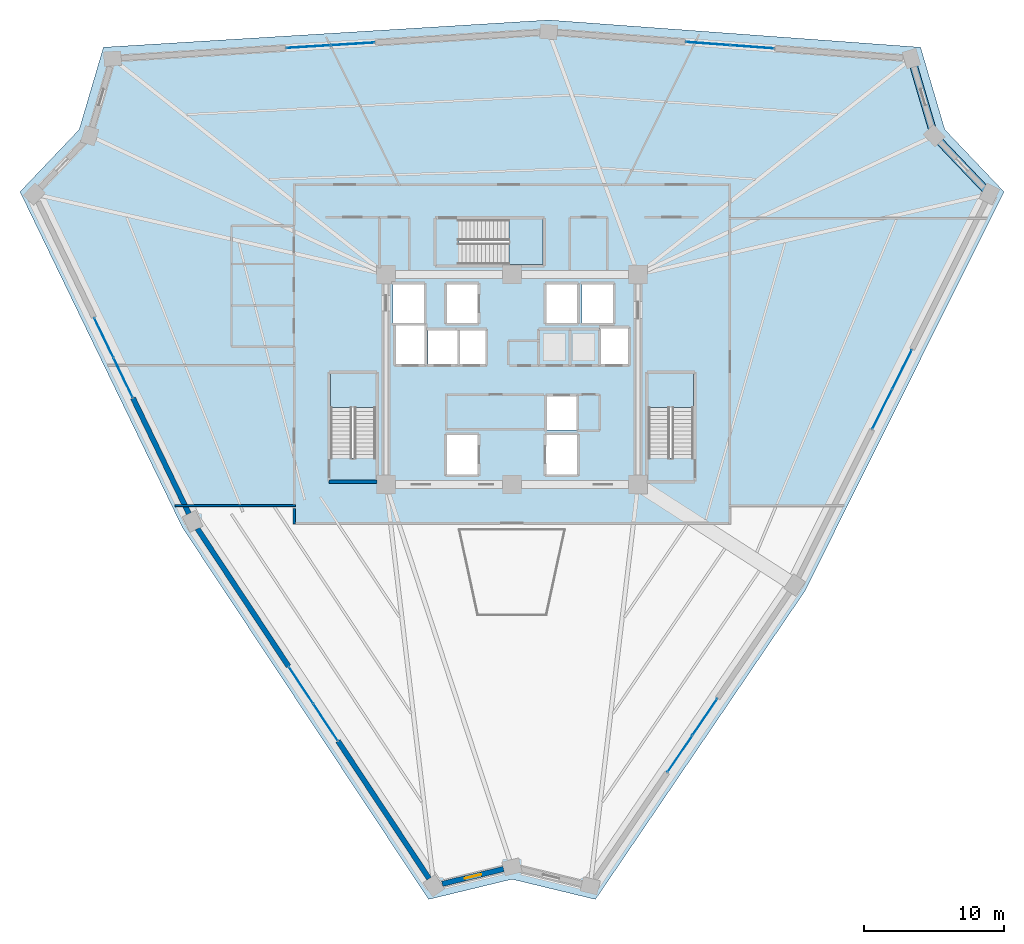
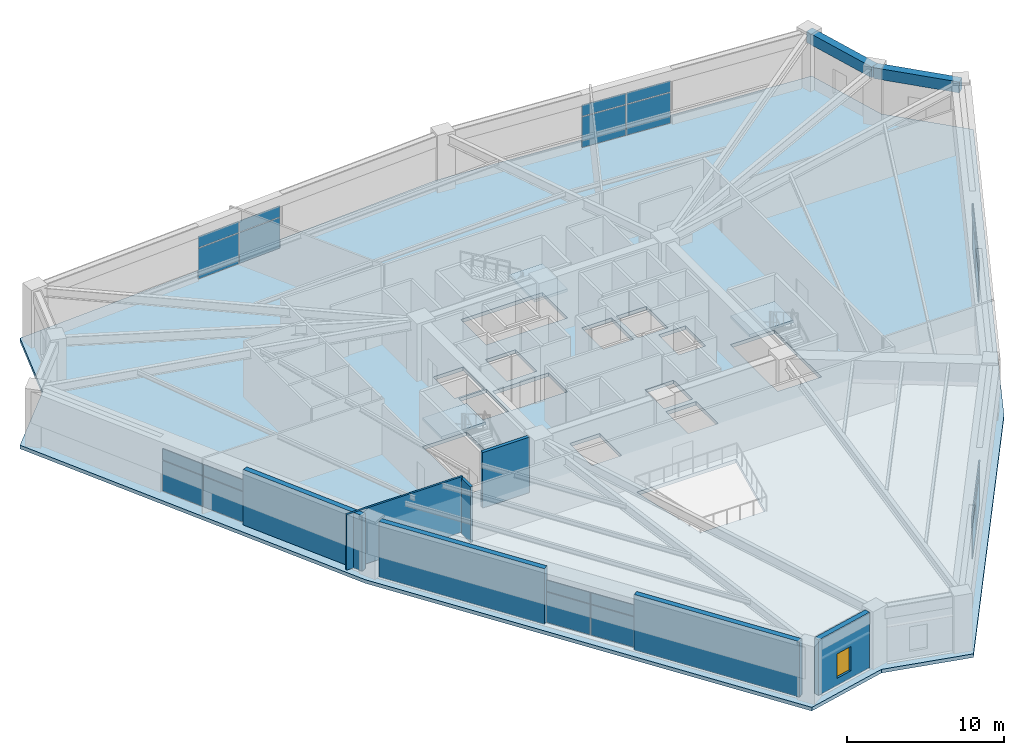
# One storey, part 31 of 39: 24 plates, 7 walls, 4 slabs, 2 beams, 1 window, 1 opening, 9 elements without a shape of their own.
"""IFC4 building model written with IfcOpenShell, lengths in metres."""

from ifc_helpers import new_model, si_unit, direction, frame, frame_2d, origin, origin_2d, place, context, subcontext, project, spatial, polyline, rectangle, outline, extrude, source, transform, mapped, material, layer, layer_set, material_profile, profile_set, type_object, element, fill, aggregate, save


model = new_model("IFC4")

# Units and contexts
model_context = context("Model", 3, precision=1e-05, world=origin(), true_north=direction((0.0, 1.0)))
body_context = subcontext(model_context, "Body", "Model", "MODEL_VIEW")
ifc_project = project(units=[si_unit("LENGTHUNIT", "METRE"), si_unit("AREAUNIT", "SQUARE_METRE"), si_unit("VOLUMEUNIT", "CUBIC_METRE"), si_unit("PLANEANGLEUNIT", "RADIAN"), si_unit("MASSUNIT", "GRAM", prefix="KILO")], contexts=[model_context])

# Site, building, storey
site_placement = place(None, origin())
site = spatial("IfcSite", under=ifc_project, at=site_placement, CompositionType="ELEMENT")
building_placement = place(site_placement, origin())
building = spatial("IfcBuilding", under=site, at=building_placement, Name="Liaohun Quay Tower", CompositionType="ELEMENT")
storey_placement = place(building_placement, frame((0.0, 0.0, 189.75)))
storey = spatial("IfcBuildingStorey", under=building, at=storey_placement, Name="L49", CompositionType="ELEMENT", Elevation=189.75)

# Beams
ifc_material_1 = material(Name="Precast concrete C50", Category="concrete")
ifc_material_profile = material_profile(ifc_material_1, rectangle(XDim=0.550048828125, YDim=0.85009765625, at=origin_2d()), Name="RC550x850")
ifc_profile_set = profile_set([ifc_material_profile], Name="Precast concrete C50")
beam_type = type_object("IfcBeamType", Name="BM-SPD-Z3", PredefinedType="SPANDREL", material=ifc_profile_set)
shared_shape_1 = source(origin(), body_context, "Body", "SweptSolid", [
    extrude(rectangle(XDim=0.550048828125, YDim=0.85009765625, at=origin_2d()), origin(), (0.0, 0.0, 1.0), 5.737060546875),
])
beam_1_placement = place(storey_placement, frame((90.14306640625, 71.403076171875, 3.89501953125), z_axis=(0.689356516879, -0.724422247474, 0.0), x_axis=(0.724422247474, 0.689356516879, 0.0)))
element("IfcBeam", 1, at=beam_1_placement, inside=storey, type_object=beam_type, Name="L49 Precast Spandrel Beam PC08-PC09", PredefinedType="SPANDREL", context=body_context, shape_type="MappedRepresentation", body=[
    mapped(shared_shape_1, transform((0.0, 0.0, 0.0), x_axis=(1.0, 0.0, 0.0), y_axis=(0.0, 1.0, 0.0), z_axis=(0.0, 0.0, 1.0), scale=1.0)),
])
shared_shape_2 = source(origin(), body_context, "Body", "SweptSolid", [
    extrude(rectangle(XDim=0.550048828125, YDim=0.85009765625, at=origin_2d()), origin(), (0.0, 0.0, 1.0), 5.744384765625),
])
beam_2_placement = place(storey_placement, frame((88.51904296875, 76.9130859375, 3.89501953125), z_axis=(0.282716218071, -0.959203596761, 0.0), x_axis=(0.959203596761, 0.282716218071, 0.0)))
element("IfcBeam", 2, at=beam_2_placement, inside=storey, type_object=beam_type, Name="L49 Precast Spandrel Beam PC07-PC08", PredefinedType="SPANDREL", context=body_context, shape_type="MappedRepresentation", body=[
    mapped(shared_shape_2, transform((0.0, 0.0, 0.0), x_axis=(1.0, 0.0, 0.0), y_axis=(0.0, 1.0, 0.0), z_axis=(0.0, 0.0, 1.0), scale=1.0)),
])

# Stair, slab
ifc_material_2 = material(Name="Concrete C45", Category="concrete")
stair_type = type_object("IfcStairType", Name="STR-CORE-TALL", PredefinedType="HALF_TURN_STAIR", material=ifc_material_2)
stair_1_placement = place(storey_placement, origin())
stair_1 = element("IfcStair", 3, at=stair_1_placement, inside=storey, type_object=stair_type, Name="L49 Smokeproof Core Exit Stair ST-1", PredefinedType="HALF_TURN_STAIR")
ifc_layer_1 = layer(ifc_material_2, 0.199951171875, Name="Concrete C45", Category="concrete")
ifc_layer_set_1 = layer_set([ifc_layer_1], Name="Concrete C45")
slab_type_1 = type_object("IfcSlabType", Name="SLB-LND-200", PredefinedType="LANDING", material=ifc_layer_set_1)
slab_1_placement = place(storey_placement, frame((0.0, 0.0, 2.050048828125)))
slab_1 = element("IfcSlab", 4, at=slab_1_placement, type_object=slab_type_1, Name="ST-1 landing 1", PredefinedType="LANDING", context=body_context, shape_type="SweptSolid", body=[
    extrude(outline(polyline([(50.280029296875, 51.989990234375), (50.280029296875, 54.419921875), (47.0400390625, 54.419921875), (47.0400390625, 51.989990234375), (50.280029296875, 51.989990234375)])), origin(), (0.0, 0.0, 1.0), 0.199951171875),
])
aggregate(stair_1, [slab_1])

stair_2_placement = place(storey_placement, origin())
stair_2 = element("IfcStair", 5, at=stair_2_placement, inside=storey, type_object=stair_type, Name="L49 Smokeproof Core Exit Stair ST-2", PredefinedType="HALF_TURN_STAIR")
slab_2_placement = place(storey_placement, frame((0.0, 0.0, 2.050048828125)))
slab_2 = element("IfcSlab", 6, at=slab_2_placement, type_object=slab_type_1, Name="ST-2 landing 1", PredefinedType="LANDING", context=body_context, shape_type="SweptSolid", body=[
    extrude(outline(polyline([(72.9599609375, 51.989990234375), (72.9599609375, 54.419921875), (69.719970703125, 54.419921875), (69.719970703125, 51.989990234375), (72.9599609375, 51.989990234375)])), origin(), (0.0, 0.0, 1.0), 0.199951171875),
])
aggregate(stair_2, [slab_2])

stair_3_placement = place(storey_placement, origin())
stair_3 = element("IfcStair", 7, at=stair_3_placement, inside=storey, type_object=stair_type, Name="L49 Smokeproof Core Exit Stair ST-3", PredefinedType="HALF_TURN_STAIR")
slab_3_placement = place(storey_placement, frame((0.0, 0.0, 2.050048828125)))
slab_3 = element("IfcSlab", 8, at=slab_3_placement, type_object=slab_type_1, Name="ST-3 landing 1", PredefinedType="LANDING", context=body_context, shape_type="SweptSolid", body=[
    extrude(outline(polyline([(59.7900390625, 62.199951171875), (62.219970703125, 62.199951171875), (62.219970703125, 65.43994140625), (59.7900390625, 65.43994140625), (59.7900390625, 62.199951171875)])), origin(), (0.0, 0.0, 1.0), 0.199951171875),
])
aggregate(stair_3, [slab_3])

# Slab
ifc_material_3 = material(Name="Concrete C50", Category="concrete")
ifc_layer_2 = layer(ifc_material_3, 0.280029296875, Name="Concrete C50", Category="concrete")
ifc_layer_set_2 = layer_set([ifc_layer_2], Name="Concrete C50")
slab_type_2 = type_object("IfcSlabType", Name="SLB-REF-280", PredefinedType="FLOOR", material=ifc_layer_set_2)
slab_4_placement = place(storey_placement, frame((0.0, 0.0, -0.280029296875)))
element("IfcSlab", 9, at=slab_4_placement, inside=storey, type_object=slab_type_2, Name="L49 Structural Floor Slab", PredefinedType="FLOOR", context=body_context, shape_type="SweptSolid", body=[
    extrude(outline(polyline([(54.04296875, 16.881103515625), (60.0, 18.320068359375), (65.95703125, 16.881103515625), (80.9130859375, 38.89501953125), (95.125, 67.40087890625), (90.89990234375, 71.840087890625), (89.16796875, 77.718017578125), (62.625, 79.6640625), (30.83203125, 77.718017578125), (29.10009765625, 71.840087890625), (24.875, 67.40087890625), (36.4619140625, 43.44189453125), (54.04296875, 16.881103515625)]), holes=[polyline([(57.56005859375, 50.030029296875), (55.340087890625, 50.030029296875), (55.340087890625, 47.2099609375), (57.56005859375, 47.2099609375), (57.56005859375, 50.030029296875)]), polyline([(50.280029296875, 54.419921875), (47.0400390625, 54.419921875), (47.0400390625, 48.409912109375), (50.280029296875, 48.409912109375), (50.280029296875, 54.419921875)]), polyline([(53.989990234375, 55.090087890625), (58.110107421875, 55.090087890625), (58.110107421875, 57.510009765625), (53.989990234375, 57.510009765625), (53.989990234375, 55.090087890625)]), polyline([(53.760009765625, 55.090087890625), (53.760009765625, 57.909912109375), (51.7099609375, 57.909912109375), (51.7099609375, 55.090087890625), (53.760009765625, 55.090087890625)]), polyline([(53.7099609375, 58.0400390625), (53.7099609375, 60.7900390625), (51.489990234375, 60.7900390625), (51.489990234375, 58.0400390625), (53.7099609375, 58.0400390625)]), polyline([(57.56005859375, 58.0400390625), (57.56005859375, 60.7900390625), (55.340087890625, 60.7900390625), (55.340087890625, 58.0400390625), (57.56005859375, 58.0400390625)]), polyline([(62.219970703125, 62.199951171875), (62.219970703125, 65.43994140625), (56.2099609375, 65.43994140625), (56.2099609375, 62.199951171875), (62.219970703125, 62.199951171875)]), polyline([(62.3798828125, 37.27001953125), (63.662109375, 43.199951171875), (56.337890625, 43.199951171875), (57.6201171875, 37.27001953125), (62.3798828125, 37.27001953125)]), polyline([(64.659912109375, 47.2099609375), (64.659912109375, 50.030029296875), (62.43994140625, 50.030029296875), (62.43994140625, 47.2099609375), (64.659912109375, 47.2099609375)]), polyline([(72.9599609375, 54.419921875), (69.719970703125, 54.419921875), (69.719970703125, 48.409912109375), (72.9599609375, 48.409912109375), (72.9599609375, 54.419921875)]), polyline([(64.610107421875, 50.389892578125), (64.610107421875, 52.81005859375), (62.489990234375, 52.81005859375), (62.489990234375, 50.389892578125), (64.610107421875, 50.389892578125)]), polyline([(68.2900390625, 55.090087890625), (68.2900390625, 57.659912109375), (66.2900390625, 57.659912109375), (66.2900390625, 55.090087890625), (68.2900390625, 55.090087890625)]), polyline([(64.659912109375, 58.0400390625), (64.659912109375, 60.7900390625), (62.43994140625, 60.7900390625), (62.43994140625, 58.0400390625), (64.659912109375, 58.0400390625)]), polyline([(67.2099609375, 58.0400390625), (67.2099609375, 60.7900390625), (64.989990234375, 60.7900390625), (64.989990234375, 58.0400390625), (67.2099609375, 58.0400390625)])]), origin(), (0.0, 0.0, 1.0), 0.280029296875),
])

# Curtain wall, plates
ifc_material_4 = material(Name="Mid-height zone-break sky-lobby curtain wall")
ifc_layer_3 = layer(ifc_material_4, 0.199951171875, Name="Mid-height zone-break sky-lobby curtain wall")
ifc_layer_set_3 = layer_set([ifc_layer_3], Name="Mid-height zone-break sky-lobby curtain wall")
curtain_wall_type = type_object("IfcCurtainWallType", Name="CW-SKY-L49", PredefinedType="NOTDEFINED", material=ifc_layer_set_3)
curtain_wall_1_placement = place(storey_placement, origin())
curtain_wall_1 = element("IfcCurtainWall", 10, at=curtain_wall_1_placement, inside=storey, type_object=curtain_wall_type, Name="L49 Panoramic Belvedere Curtain Wall 01", PredefinedType="NOTDEFINED")
ifc_material_5 = material(Name="Triple Low-E clear insulated glass unit", Category="glass")
ifc_layer_4 = layer(ifc_material_5, 0.0439453125, Name="Triple Low-E clear insulated glass unit", Category="glass")
ifc_layer_set_4 = layer_set([ifc_layer_4], Name="Triple Low-E clear insulated glass unit")
plate_type = type_object("IfcPlateType", Name="PLT-CWP-GLZ1", PredefinedType="CURTAIN_PANEL", material=ifc_layer_set_4)
shared_shape_3 = source(origin(), body_context, "Body", "SweptSolid", [
    extrude(rectangle(XDim=3.102783203125, YDim=0.0439453125, at=origin_2d()), origin(), (0.0, 0.0, 1.0), 2.3720703125),
])
plate_1_placement = place(storey_placement, frame((71.991455078125, 27.27490234375, 0.06005859375), z_axis=(0.0, 0.0, 1.0), x_axis=(0.561998012701, 0.827138581932, 0.0)))
plate_1 = element("IfcPlate", 11, at=plate_1_placement, type_object=plate_type, Name="CW4 panel 1.1", PredefinedType="CURTAIN_PANEL", context=body_context, shape_type="MappedRepresentation", body=[
    mapped(shared_shape_3, transform((0.0, 0.0, 0.0), x_axis=(1.0, 0.0, 0.0), y_axis=(0.0, 1.0, 0.0), z_axis=(0.0, 0.0, 1.0), scale=1.0)),
])
plate_2_placement = place(storey_placement, frame((73.771728515625, 29.89501953125, 0.06005859375), z_axis=(0.0, 0.0, 1.0), x_axis=(0.561998012701, 0.827138581932, 0.0)))
plate_2 = element("IfcPlate", 12, at=plate_2_placement, type_object=plate_type, Name="CW4 panel 2.1", PredefinedType="CURTAIN_PANEL", context=body_context, shape_type="MappedRepresentation", body=[
    mapped(shared_shape_3, transform((0.0, 0.0, 0.0), x_axis=(1.0, 0.0, 0.0), y_axis=(0.0, 1.0, 0.0), z_axis=(0.0, 0.0, 1.0), scale=1.0)),
])

curtain_wall_2_placement = place(storey_placement, origin())
curtain_wall_2 = element("IfcCurtainWall", 13, at=curtain_wall_2_placement, inside=storey, type_object=curtain_wall_type, Name="L49 Panoramic Belvedere Curtain Wall 02", PredefinedType="NOTDEFINED")
plate_3_placement = place(storey_placement, frame((86.43115234375, 51.86865234375, 0.06005859375), z_axis=(0.0, 0.0, 1.0), x_axis=(0.446213398059, 0.894926591064, 0.0)))
plate_3 = element("IfcPlate", 14, at=plate_3_placement, type_object=plate_type, Name="CW4 panel 1.1", PredefinedType="CURTAIN_PANEL", context=body_context, shape_type="MappedRepresentation", body=[
    mapped(shared_shape_3, transform((0.0, 0.0, 0.0), x_axis=(1.0, 0.0, 0.0), y_axis=(0.0, 1.0, 0.0), z_axis=(0.0, 0.0, 1.0), scale=1.0)),
])
plate_4_placement = place(storey_placement, frame((87.8447265625, 54.703369140625, 0.06005859375), z_axis=(0.0, 0.0, 1.0), x_axis=(0.446213398059, 0.894926591064, 0.0)))
plate_4 = element("IfcPlate", 15, at=plate_4_placement, type_object=plate_type, Name="CW4 panel 2.1", PredefinedType="CURTAIN_PANEL", context=body_context, shape_type="MappedRepresentation", body=[
    mapped(shared_shape_3, transform((0.0, 0.0, 0.0), x_axis=(1.0, 0.0, 0.0), y_axis=(0.0, 1.0, 0.0), z_axis=(0.0, 0.0, 1.0), scale=1.0)),
])

curtain_wall_3_placement = place(storey_placement, origin())
curtain_wall_3 = element("IfcCurtainWall", 16, at=curtain_wall_3_placement, inside=storey, type_object=curtain_wall_type, Name="L49 Panoramic Belvedere Curtain Wall 06", PredefinedType="NOTDEFINED")
plate_5_placement = place(storey_placement, frame((44.938232421875, 32.17626953125, 0.06005859375), z_axis=(0.0, 0.0, 1.0), x_axis=(0.551993126598, -0.833848660243, 0.0)))
plate_5 = element("IfcPlate", 17, at=plate_5_placement, type_object=plate_type, Name="CW4 panel 1.1", PredefinedType="CURTAIN_PANEL", context=body_context, shape_type="MappedRepresentation", body=[
    mapped(shared_shape_3, transform((0.0, 0.0, 0.0), x_axis=(1.0, 0.0, 0.0), y_axis=(0.0, 1.0, 0.0), z_axis=(0.0, 0.0, 1.0), scale=1.0)),
])
plate_6_placement = place(storey_placement, frame((46.686767578125, 29.534912109375, 0.06005859375), z_axis=(0.0, 0.0, 1.0), x_axis=(0.551993126598, -0.833848660243, 0.0)))
plate_6 = element("IfcPlate", 18, at=plate_6_placement, type_object=plate_type, Name="CW4 panel 2.1", PredefinedType="CURTAIN_PANEL", context=body_context, shape_type="MappedRepresentation", body=[
    mapped(shared_shape_3, transform((0.0, 0.0, 0.0), x_axis=(1.0, 0.0, 0.0), y_axis=(0.0, 1.0, 0.0), z_axis=(0.0, 0.0, 1.0), scale=1.0)),
])

# Plate
shared_shape_4 = source(origin(), body_context, "Body", "SweptSolid", [
    extrude(rectangle(XDim=3.102783203125, YDim=0.0439453125, at=origin_2d()), origin(), (0.0, 0.0, 1.0), 0.867919921875),
])
plate_7_placement = place(storey_placement, frame((71.991455078125, 27.27490234375, 2.4921875), z_axis=(0.0, 0.0, 1.0), x_axis=(0.561998012701, 0.827138581932, 0.0)))
plate_7 = element("IfcPlate", 19, at=plate_7_placement, type_object=plate_type, Name="CW4 panel 1.2", PredefinedType="CURTAIN_PANEL", context=body_context, shape_type="MappedRepresentation", body=[
    mapped(shared_shape_4, transform((0.0, 0.0, 0.0), x_axis=(1.0, 0.0, 0.0), y_axis=(0.0, 1.0, 0.0), z_axis=(0.0, 0.0, 1.0), scale=1.0)),
])

plate_8_placement = place(storey_placement, frame((73.771728515625, 29.89501953125, 2.4921875), z_axis=(0.0, 0.0, 1.0), x_axis=(0.561998012701, 0.827138581932, 0.0)))
plate_8 = element("IfcPlate", 20, at=plate_8_placement, type_object=plate_type, Name="CW4 panel 2.2", PredefinedType="CURTAIN_PANEL", context=body_context, shape_type="MappedRepresentation", body=[
    mapped(shared_shape_4, transform((0.0, 0.0, 0.0), x_axis=(1.0, 0.0, 0.0), y_axis=(0.0, 1.0, 0.0), z_axis=(0.0, 0.0, 1.0), scale=1.0)),
])

aggregate(curtain_wall_1, [plate_1, plate_7, plate_2, plate_8])

plate_9_placement = place(storey_placement, frame((86.43115234375, 51.86865234375, 2.4921875), z_axis=(0.0, 0.0, 1.0), x_axis=(0.446213398059, 0.894926591064, 0.0)))
plate_9 = element("IfcPlate", 21, at=plate_9_placement, type_object=plate_type, Name="CW4 panel 1.2", PredefinedType="CURTAIN_PANEL", context=body_context, shape_type="MappedRepresentation", body=[
    mapped(shared_shape_4, transform((0.0, 0.0, 0.0), x_axis=(1.0, 0.0, 0.0), y_axis=(0.0, 1.0, 0.0), z_axis=(0.0, 0.0, 1.0), scale=1.0)),
])

plate_10_placement = place(storey_placement, frame((87.8447265625, 54.703369140625, 2.4921875), z_axis=(0.0, 0.0, 1.0), x_axis=(0.446213398059, 0.894926591064, 0.0)))
plate_10 = element("IfcPlate", 22, at=plate_10_placement, type_object=plate_type, Name="CW4 panel 2.2", PredefinedType="CURTAIN_PANEL", context=body_context, shape_type="MappedRepresentation", body=[
    mapped(shared_shape_4, transform((0.0, 0.0, 0.0), x_axis=(1.0, 0.0, 0.0), y_axis=(0.0, 1.0, 0.0), z_axis=(0.0, 0.0, 1.0), scale=1.0)),
])

aggregate(curtain_wall_2, [plate_3, plate_9, plate_4, plate_10])

plate_11_placement = place(storey_placement, frame((44.938232421875, 32.17626953125, 2.4921875), z_axis=(0.0, 0.0, 1.0), x_axis=(0.551993126598, -0.833848660243, 0.0)))
plate_11 = element("IfcPlate", 23, at=plate_11_placement, type_object=plate_type, Name="CW4 panel 1.2", PredefinedType="CURTAIN_PANEL", context=body_context, shape_type="MappedRepresentation", body=[
    mapped(shared_shape_4, transform((0.0, 0.0, 0.0), x_axis=(1.0, 0.0, 0.0), y_axis=(0.0, 1.0, 0.0), z_axis=(0.0, 0.0, 1.0), scale=1.0)),
])

plate_12_placement = place(storey_placement, frame((46.686767578125, 29.534912109375, 2.4921875), z_axis=(0.0, 0.0, 1.0), x_axis=(0.551993126598, -0.833848660243, 0.0)))
plate_12 = element("IfcPlate", 24, at=plate_12_placement, type_object=plate_type, Name="CW4 panel 2.2", PredefinedType="CURTAIN_PANEL", context=body_context, shape_type="MappedRepresentation", body=[
    mapped(shared_shape_4, transform((0.0, 0.0, 0.0), x_axis=(1.0, 0.0, 0.0), y_axis=(0.0, 1.0, 0.0), z_axis=(0.0, 0.0, 1.0), scale=1.0)),
])

aggregate(curtain_wall_3, [plate_5, plate_11, plate_6, plate_12])

# Curtain wall, plates
curtain_wall_4_placement = place(storey_placement, origin())
curtain_wall_4 = element("IfcCurtainWall", 25, at=curtain_wall_4_placement, inside=storey, type_object=curtain_wall_type, Name="L49 Panoramic Belvedere Curtain Wall 03", PredefinedType="NOTDEFINED")
shared_shape_5 = source(origin(), body_context, "Body", "SweptSolid", [
    extrude(rectangle(XDim=3.1025390625, YDim=0.0439453125, at=origin_2d()), origin(), (0.0, 0.0, 1.0), 2.3720703125),
])
plate_13_placement = place(storey_placement, frame((77.14892578125, 77.746826171875, 0.06005859375), z_axis=(0.0, 0.0, 1.0), x_axis=(-0.997334278291, 0.072968057021, 0.0)))
plate_13 = element("IfcPlate", 26, at=plate_13_placement, type_object=plate_type, Name="CW4 panel 1.1", PredefinedType="CURTAIN_PANEL", context=body_context, shape_type="MappedRepresentation", body=[
    mapped(shared_shape_5, transform((0.0, 0.0, 0.0), x_axis=(1.0, 0.0, 0.0), y_axis=(0.0, 1.0, 0.0), z_axis=(0.0, 0.0, 1.0), scale=1.0)),
])
plate_14_placement = place(storey_placement, frame((73.989990234375, 77.97802734375, 0.06005859375), z_axis=(0.0, 0.0, 1.0), x_axis=(-0.997334278291, 0.072968057021, 0.0)))
plate_14 = element("IfcPlate", 27, at=plate_14_placement, type_object=plate_type, Name="CW4 panel 2.1", PredefinedType="CURTAIN_PANEL", context=body_context, shape_type="MappedRepresentation", body=[
    mapped(shared_shape_5, transform((0.0, 0.0, 0.0), x_axis=(1.0, 0.0, 0.0), y_axis=(0.0, 1.0, 0.0), z_axis=(0.0, 0.0, 1.0), scale=1.0)),
])
shared_shape_6 = source(origin(), body_context, "Body", "SweptSolid", [
    extrude(rectangle(XDim=3.1025390625, YDim=0.0439453125, at=origin_2d()), origin(), (0.0, 0.0, 1.0), 0.867919921875),
])
plate_15_placement = place(storey_placement, frame((77.14892578125, 77.746826171875, 2.4921875), z_axis=(0.0, 0.0, 1.0), x_axis=(-0.997334278291, 0.072968057021, 0.0)))
plate_15 = element("IfcPlate", 28, at=plate_15_placement, type_object=plate_type, Name="CW4 panel 1.2", PredefinedType="CURTAIN_PANEL", context=body_context, shape_type="MappedRepresentation", body=[
    mapped(shared_shape_6, transform((0.0, 0.0, 0.0), x_axis=(1.0, 0.0, 0.0), y_axis=(0.0, 1.0, 0.0), z_axis=(0.0, 0.0, 1.0), scale=1.0)),
])
plate_16_placement = place(storey_placement, frame((73.989990234375, 77.97802734375, 2.4921875), z_axis=(0.0, 0.0, 1.0), x_axis=(-0.997334278291, 0.072968057021, 0.0)))
plate_16 = element("IfcPlate", 29, at=plate_16_placement, type_object=plate_type, Name="CW4 panel 2.2", PredefinedType="CURTAIN_PANEL", context=body_context, shape_type="MappedRepresentation", body=[
    mapped(shared_shape_6, transform((0.0, 0.0, 0.0), x_axis=(1.0, 0.0, 0.0), y_axis=(0.0, 1.0, 0.0), z_axis=(0.0, 0.0, 1.0), scale=1.0)),
])
aggregate(curtain_wall_4, [plate_13, plate_15, plate_14, plate_16])

curtain_wall_5_placement = place(storey_placement, origin())
curtain_wall_5 = element("IfcCurtainWall", 30, at=curtain_wall_5_placement, inside=storey, type_object=curtain_wall_type, Name="L49 Panoramic Belvedere Curtain Wall 04", PredefinedType="NOTDEFINED")
shared_shape_7 = source(origin(), body_context, "Body", "SweptSolid", [
    extrude(rectangle(XDim=3.10302734375, YDim=0.0439453125, at=origin_2d()), origin(), (0.0, 0.0, 1.0), 2.3720703125),
])
plate_17_placement = place(storey_placement, frame((48.630615234375, 77.95556640625, 0.06005859375), z_axis=(0.0, 0.0, 1.0), x_axis=(-0.998142102216, -0.06092900609, 0.0)))
plate_17 = element("IfcPlate", 31, at=plate_17_placement, type_object=plate_type, Name="CW4 panel 1.1", PredefinedType="CURTAIN_PANEL", context=body_context, shape_type="MappedRepresentation", body=[
    mapped(shared_shape_7, transform((0.0, 0.0, 0.0), x_axis=(1.0, 0.0, 0.0), y_axis=(0.0, 1.0, 0.0), z_axis=(0.0, 0.0, 1.0), scale=1.0)),
])
plate_18_placement = place(storey_placement, frame((45.468505859375, 77.762451171875, 0.06005859375), z_axis=(0.0, 0.0, 1.0), x_axis=(-0.998142102216, -0.06092900609, 0.0)))
plate_18 = element("IfcPlate", 32, at=plate_18_placement, type_object=plate_type, Name="CW4 panel 2.1", PredefinedType="CURTAIN_PANEL", context=body_context, shape_type="MappedRepresentation", body=[
    mapped(shared_shape_7, transform((0.0, 0.0, 0.0), x_axis=(1.0, 0.0, 0.0), y_axis=(0.0, 1.0, 0.0), z_axis=(0.0, 0.0, 1.0), scale=1.0)),
])
shared_shape_8 = source(origin(), body_context, "Body", "SweptSolid", [
    extrude(rectangle(XDim=3.10302734375, YDim=0.0439453125, at=origin_2d()), origin(), (0.0, 0.0, 1.0), 0.867919921875),
])
plate_19_placement = place(storey_placement, frame((48.630615234375, 77.95556640625, 2.4921875), z_axis=(0.0, 0.0, 1.0), x_axis=(-0.998142102216, -0.06092900609, 0.0)))
plate_19 = element("IfcPlate", 33, at=plate_19_placement, type_object=plate_type, Name="CW4 panel 1.2", PredefinedType="CURTAIN_PANEL", context=body_context, shape_type="MappedRepresentation", body=[
    mapped(shared_shape_8, transform((0.0, 0.0, 0.0), x_axis=(1.0, 0.0, 0.0), y_axis=(0.0, 1.0, 0.0), z_axis=(0.0, 0.0, 1.0), scale=1.0)),
])
plate_20_placement = place(storey_placement, frame((45.468505859375, 77.762451171875, 2.4921875), z_axis=(0.0, 0.0, 1.0), x_axis=(-0.998142102216, -0.06092900609, 0.0)))
plate_20 = element("IfcPlate", 34, at=plate_20_placement, type_object=plate_type, Name="CW4 panel 2.2", PredefinedType="CURTAIN_PANEL", context=body_context, shape_type="MappedRepresentation", body=[
    mapped(shared_shape_8, transform((0.0, 0.0, 0.0), x_axis=(1.0, 0.0, 0.0), y_axis=(0.0, 1.0, 0.0), z_axis=(0.0, 0.0, 1.0), scale=1.0)),
])
aggregate(curtain_wall_5, [plate_17, plate_19, plate_18, plate_20])

curtain_wall_6_placement = place(storey_placement, origin())
curtain_wall_6 = element("IfcCurtainWall", 35, at=curtain_wall_6_placement, inside=storey, type_object=curtain_wall_type, Name="L49 Panoramic Belvedere Curtain Wall 05", PredefinedType="NOTDEFINED")
shared_shape_9 = source(origin(), body_context, "Body", "SweptSolid", [
    extrude(rectangle(XDim=3.10205078125, YDim=0.0439453125, at=origin_2d()), origin(), (0.0, 0.0, 1.0), 2.3720703125),
])
plate_21_placement = place(storey_placement, frame((30.859619140625, 56.97802734375, 0.06005859375), z_axis=(0.0, 0.0, 1.0), x_axis=(0.435360773943, -0.900256072744, 0.0)))
plate_21 = element("IfcPlate", 36, at=plate_21_placement, type_object=plate_type, Name="CW4 panel 1.1", PredefinedType="CURTAIN_PANEL", context=body_context, shape_type="MappedRepresentation", body=[
    mapped(shared_shape_9, transform((0.0, 0.0, 0.0), x_axis=(1.0, 0.0, 0.0), y_axis=(0.0, 1.0, 0.0), z_axis=(0.0, 0.0, 1.0), scale=1.0)),
])
plate_22_placement = place(storey_placement, frame((32.238525390625, 54.126953125, 0.06005859375), z_axis=(0.0, 0.0, 1.0), x_axis=(0.435360773943, -0.900256072744, 0.0)))
plate_22 = element("IfcPlate", 37, at=plate_22_placement, type_object=plate_type, Name="CW4 panel 2.1", PredefinedType="CURTAIN_PANEL", context=body_context, shape_type="MappedRepresentation", body=[
    mapped(shared_shape_9, transform((0.0, 0.0, 0.0), x_axis=(1.0, 0.0, 0.0), y_axis=(0.0, 1.0, 0.0), z_axis=(0.0, 0.0, 1.0), scale=1.0)),
])
shared_shape_10 = source(origin(), body_context, "Body", "SweptSolid", [
    extrude(rectangle(XDim=3.10205078125, YDim=0.0439453125, at=origin_2d()), origin(), (0.0, 0.0, 1.0), 0.867919921875),
])
plate_23_placement = place(storey_placement, frame((30.859619140625, 56.97802734375, 2.4921875), z_axis=(0.0, 0.0, 1.0), x_axis=(0.435360773943, -0.900256072744, 0.0)))
plate_23 = element("IfcPlate", 38, at=plate_23_placement, type_object=plate_type, Name="CW4 panel 1.2", PredefinedType="CURTAIN_PANEL", context=body_context, shape_type="MappedRepresentation", body=[
    mapped(shared_shape_10, transform((0.0, 0.0, 0.0), x_axis=(1.0, 0.0, 0.0), y_axis=(0.0, 1.0, 0.0), z_axis=(0.0, 0.0, 1.0), scale=1.0)),
])
plate_24_placement = place(storey_placement, frame((32.238525390625, 54.126953125, 2.4921875), z_axis=(0.0, 0.0, 1.0), x_axis=(0.435360773943, -0.900256072744, 0.0)))
plate_24 = element("IfcPlate", 39, at=plate_24_placement, type_object=plate_type, Name="CW4 panel 2.2", PredefinedType="CURTAIN_PANEL", context=body_context, shape_type="MappedRepresentation", body=[
    mapped(shared_shape_10, transform((0.0, 0.0, 0.0), x_axis=(1.0, 0.0, 0.0), y_axis=(0.0, 1.0, 0.0), z_axis=(0.0, 0.0, 1.0), scale=1.0)),
])
aggregate(curtain_wall_6, [plate_21, plate_23, plate_22, plate_24])

# Walls
ifc_material_6 = material(Name="Precast concrete C50 insulated sandwich", Category="concrete")
ifc_layer_5 = layer(ifc_material_6, 0.3798828125, Name="Precast concrete C50 insulated sandwich", Category="concrete")
ifc_layer_set_5 = layer_set([ifc_layer_5], Name="Precast concrete C50 insulated sandwich")
wall_type_1 = type_object("IfcWallType", Name="WAL-EXT-Z34", PredefinedType="SOLIDWALL", material=ifc_layer_set_5)
wall_1_placement = place(storey_placement, frame((32.94189453125, 52.672119140625, 0.0), z_axis=(0.0, 0.0, 1.0), x_axis=(0.435405716841, -0.900234337127, 0.0)))
element("IfcWall", 40, at=wall_1_placement, inside=storey, type_object=wall_type_1, Name="L49 Belvedere Flank Pier Wall 10R", PredefinedType="SOLIDWALL", context=body_context, shape_type="SweptSolid", body=[
    extrude(rectangle(XDim=9.1689453125, YDim=0.3798828125, at=frame_2d((4.58447265625, 0.0))), origin(), (0.0, 0.0, 1.0), 4.320068359375),
])
for number, where, z_axis, x_axis, name in (
    (41, (37.541015625, 43.35107421875, 0.0), (0.0, 0.0, 1.0), (0.551962660992, -0.833868827137, 0.0), "L49 Belvedere Flank Pier Wall 11L"),
    (42, (47.5791015625, 28.18701171875, 0.0), (0.0, 0.0, 1.0), (0.551972196055, -0.833862515516, 0.0), "L49 Belvedere Flank Pier Wall 11R"),
):
    element("IfcWall", number, at=place(storey_placement, frame(where, z_axis=z_axis, x_axis=x_axis)), inside=storey, type_object=wall_type_1, Name=name, PredefinedType="SOLIDWALL", context=body_context, shape_type="SweptSolid", body=[
        extrude(rectangle(XDim=11.784912109375, YDim=0.3798828125, at=frame_2d((5.892578125, 0.0))), origin(), (0.0, 0.0, 1.0), 4.320068359375),
    ])

# Wall, opening, window
wall_2_placement = place(storey_placement, frame((55.02099609375, 17.990966796875, 0.0), z_axis=(0.0, 0.0, 1.0), x_axis=(0.972002486445, 0.234970564848, 0.0)))
wall_2 = element("IfcWall", 43, at=wall_2_placement, inside=storey, type_object=wall_type_1, Name="L49 Corner Notch Precast Pier Wall 12", PredefinedType="SOLIDWALL", context=body_context, shape_type="SweptSolid", body=[
    extrude(rectangle(XDim=4.50732421875, YDim=0.3798828125, at=frame_2d((2.253662109375, 0.0))), origin(), (0.0, 0.0, 1.0), 4.320068359375),
])
shared_shape_11 = source(origin(), body_context, "Body", "SweptSolid", [
    extrude(rectangle(XDim=1.199951171875, YDim=1.89990234375, at=frame_2d((0.60009765625, 0.949951171875))), frame((0.0, 0.199951171875, 0.0), z_axis=(0.0, -1.0, 0.0), x_axis=(1.0, 0.0, 0.0)), (0.0, 0.0, 1.0), 0.39990234375),
])
opening_placement = place(wall_2_placement, frame((1.654052734375, 0.0, 0.550048828125)))
opening = element("IfcOpeningElement", 44, at=opening_placement, cuts=wall_2, Name="Opening W05", PredefinedType="OPENING", context=body_context, shape_type="MappedRepresentation", body=[
    mapped(shared_shape_11, transform((0.0, 0.0, 0.0), x_axis=(1.0, 0.0, 0.0), y_axis=(0.0, 1.0, 0.0), z_axis=(0.0, 0.0, 1.0), scale=1.0)),
])
ifc_material_7 = material(Name="Triple Low-E corner notch glazing", Category="glass")
window_type = type_object("IfcWindowType", Name="WIN-NOTCH", PartitioningType="SINGLE_PANEL", PredefinedType="WINDOW", material=ifc_material_7)
shared_shape_12 = source(origin(), body_context, "Body", "SweptSolid", [
    extrude(rectangle(XDim=1.199951171875, YDim=1.89990234375, at=frame_2d((0.60009765625, 0.949951171875))), frame((0.0, 0.030029296875, 0.0), z_axis=(0.0, -1.0, 0.0), x_axis=(1.0, 0.0, 0.0)), (0.0, 0.0, 1.0), 0.06005859375),
])
window_placement = place(opening_placement, origin())
window = element("IfcWindow", 45, at=window_placement, inside=storey, type_object=window_type, Name="L49 Corner Notch Window W05-12", OverallHeight=1.89990234375, OverallWidth=1.199951171875, PartitioningType="SINGLE_PANEL", PredefinedType="WINDOW", context=body_context, shape_type="MappedRepresentation", body=[
    mapped(shared_shape_12, transform((0.0, 0.0, 0.0), x_axis=(1.0, 0.0, 0.0), y_axis=(0.0, 1.0, 0.0), z_axis=(0.0, 0.0, 1.0), scale=1.0)),
])
fill(opening, window)

# Walls
ifc_material_8 = material(Name="Autoclaved aerated concrete blockwork", Category="masonry")
ifc_layer_6 = layer(ifc_material_8, 0.179931640625, Name="Autoclaved aerated concrete blockwork", Category="masonry")
ifc_layer_set_6 = layer_set([ifc_layer_6], Name="Autoclaved aerated concrete blockwork")
wall_type_2 = type_object("IfcWallType", Name="WAL-PRT-COR", PredefinedType="PARTITIONING", material=ifc_layer_set_6)
wall_3_placement = place(storey_placement, frame((44.43994140625, 43.669921875, 0.0), z_axis=(0.0, 0.0, 1.0), x_axis=(0.0, 1.0, 0.0)))
element("IfcWall", 46, at=wall_3_placement, inside=storey, type_object=wall_type_2, Name="L49 Interior Partition Wall 033", PredefinedType="PARTITIONING", context=body_context, shape_type="SweptSolid", body=[
    extrude(rectangle(XDim=1.114990234375, YDim=0.179931640625, at=frame_2d((0.5576171875, 0.0))), origin(), (0.0, 0.0, 1.0), 4.320068359375),
])
ifc_material_9 = material(Name="Gypsum board on twin steel studs", Category="steel")
ifc_layer_7 = layer(ifc_material_9, 0.139892578125, Name="Gypsum board on twin steel studs", Category="steel")
ifc_layer_set_7 = layer_set([ifc_layer_7], Name="Gypsum board on twin steel studs")
wall_type_3 = type_object("IfcWallType", Name="WAL-PRT-OFF", PredefinedType="PARTITIONING", material=ifc_layer_set_7)
wall_4_placement = place(storey_placement, frame((44.5400390625, 45.0, 0.0), z_axis=(0.0, 0.0, 1.0), x_axis=(-1.0, 0.0, 0.0)))
element("IfcWall", 47, at=wall_4_placement, inside=storey, type_object=wall_type_3, Name="L49 Interior Partition Wall 035", PredefinedType="PARTITIONING", context=body_context, shape_type="SweptSolid", body=[
    extrude(rectangle(XDim=8.587158203125, YDim=0.139892578125, at=frame_2d((4.29345703125, 0.0))), origin(), (0.0, 0.0, 1.0), 4.320068359375),
])
ifc_layer_8 = layer(ifc_material_3, 0.239990234375, Name="Concrete C50", Category="concrete")
ifc_layer_set_8 = layer_set([ifc_layer_8], Name="Concrete C50")
wall_type_4 = type_object("IfcWallType", Name="WAL-SHF-200", PredefinedType="SOLIDWALL", material=ifc_layer_set_8)
wall_5_placement = place(storey_placement, frame((46.93994140625, 46.699951171875, 0.0), z_axis=(0.0, 0.0, 1.0), x_axis=(1.0, 0.0, 0.0)))
element("IfcWall", 48, at=wall_5_placement, inside=storey, type_object=wall_type_4, Name="L49 Stairwell ST-1 Structural Core Wall S", PredefinedType="SOLIDWALL", context=body_context, shape_type="SweptSolid", body=[
    extrude(rectangle(XDim=3.43994140625, YDim=0.239990234375, at=frame_2d((1.719970703125, 0.0))), origin(), (0.0, 0.0, 1.0), 4.320068359375),
])

save(model, "model.ifc")
